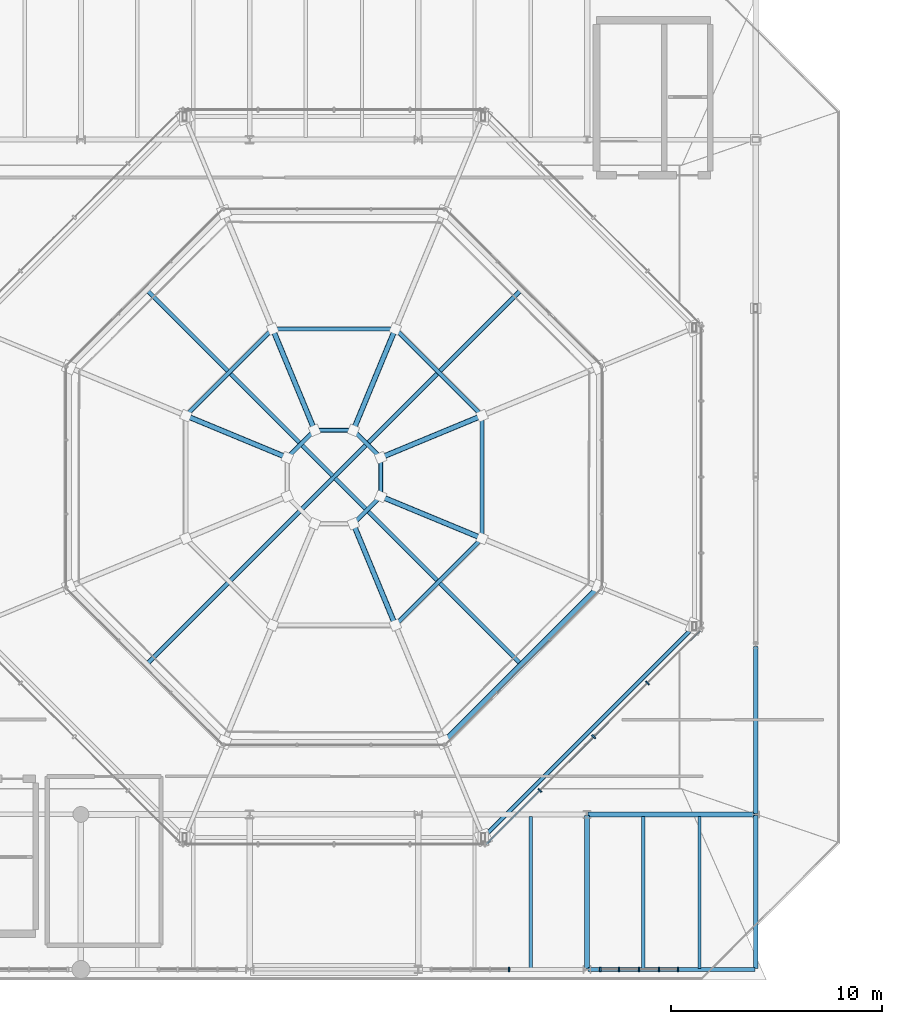
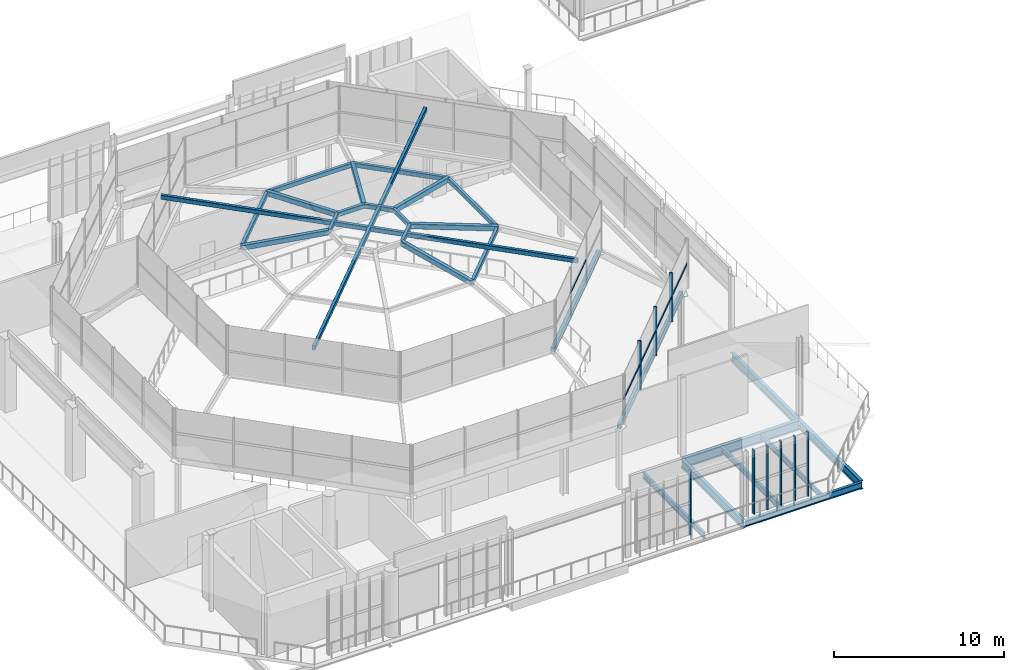
# One storey, part 11 of 30: 28 beams, 14 members, 4 elements without a shape of their own.
"""IFC4 building model written with IfcOpenShell, lengths in metres."""

from ifc_helpers import new_model, si_unit, direction, frame, origin, origin_2d, place, context, subcontext, project, spatial, rectangle, hollow_rectangle, i_section, extrude, material, material_profile, profile_set, type_object, element, aggregate, save


model = new_model("IFC4")

# Units and contexts
model_context = context("Model", 3, precision=1e-05, world=origin(), true_north=direction((0.0, 1.0)))
body_context = subcontext(model_context, "Body", "Model", "MODEL_VIEW")
ifc_project = project(units=[si_unit("LENGTHUNIT", "METRE"), si_unit("AREAUNIT", "SQUARE_METRE"), si_unit("VOLUMEUNIT", "CUBIC_METRE"), si_unit("PLANEANGLEUNIT", "RADIAN"), si_unit("MASSUNIT", "GRAM", prefix="KILO")], contexts=[model_context])

# Site, building, storey
site_placement = place(None, origin())
site = spatial("IfcSite", under=ifc_project, at=site_placement, CompositionType="ELEMENT")
building_placement = place(site_placement, origin())
building = spatial("IfcBuilding", under=site, at=building_placement, Name="Brisemont Oceanarium", CompositionType="ELEMENT")
storey_placement = place(building_placement, frame((0.0, 0.0, 19.800048828125)))
storey = spatial("IfcBuildingStorey", under=building, at=storey_placement, Name="L04", CompositionType="ELEMENT", Elevation=19.800048828125)

# Beams
ifc_material_1 = material(Name="Structural Steel ASTM A500 Gr.C", Category="steel")
ifc_material_profile_1 = material_profile(ifc_material_1, hollow_rectangle(XDim=0.202880859375, YDim=0.304931640625, WallThickness=0.0087890625, InnerFilletRadius=0.009033203125, OuterFilletRadius=0.01806640625, at=origin_2d()), Name="HSS12X8X3/8")
ifc_profile_set_1 = profile_set([ifc_material_profile_1], Name="Structural Steel ASTM A500 Gr.C")
beam_type_1 = type_object("IfcBeamType", Name="BM-HSS12X8", PredefinedType="BEAM", material=ifc_profile_set_1)
beam_1_placement = place(storey_placement, frame((91.021484375, 58.908447265625, 10.099853515625), z_axis=(-0.707106781187, 0.707106781187, 0.0), x_axis=(-0.707106781187, -0.707106781187, 0.0)))
element("IfcBeam", 1, at=beam_1_placement, inside=storey, type_object=beam_type_1, Name="V1 dome ring 3 chord 1", PredefinedType="BEAM", context=body_context, shape_type="SweptSolid", body=[
    extrude(hollow_rectangle(XDim=0.202880859375, YDim=0.304931640625, WallThickness=0.0087890625, InnerFilletRadius=0.009033203125, OuterFilletRadius=0.01806640625, at=origin_2d()), origin(), (0.0, 0.0, 1.0), 5.816650390625),
])
beam_2_placement = place(storey_placement, frame((86.908447265625, 63.021484375, 10.099853515625), z_axis=(-1.0, 0.0, 0.0), x_axis=(0.0, -1.0, 0.0)))
element("IfcBeam", 2, at=beam_2_placement, inside=storey, type_object=beam_type_1, Name="V1 dome ring 3 chord 2", PredefinedType="BEAM", context=body_context, shape_type="SweptSolid", body=[
    extrude(hollow_rectangle(XDim=0.202880859375, YDim=0.304931640625, WallThickness=0.0087890625, InnerFilletRadius=0.009033203125, OuterFilletRadius=0.01806640625, at=origin_2d()), origin(), (0.0, 0.0, 1.0), 5.81689453125),
])
for number, where, z_axis, x_axis, name in (
    (3, (81.091552734375, 63.021484375, 10.099853515625), (-0.707106781187, -0.707106781187, 0.0), (0.707106781187, -0.707106781187, 0.0), "V1 dome ring 3 chord 3"),
    (4, (86.908447265625, 48.978515625, 10.099853515625), (0.707106781187, 0.707106781187, 0.0), (-0.707106781187, 0.707106781187, 0.0), "V1 dome ring 3 chord 7"),
):
    element("IfcBeam", number, at=place(storey_placement, frame(where, z_axis=z_axis, x_axis=x_axis)), inside=storey, type_object=beam_type_1, Name=name, PredefinedType="BEAM", context=body_context, shape_type="SweptSolid", body=[
        extrude(hollow_rectangle(XDim=0.202880859375, YDim=0.304931640625, WallThickness=0.0087890625, InnerFilletRadius=0.009033203125, OuterFilletRadius=0.01806640625, at=origin_2d()), origin(), (0.0, 0.0, 1.0), 5.816650390625),
    ])
beam_3_placement = place(storey_placement, frame((91.021484375, 53.091552734375, 10.099853515625), z_axis=(0.0, 1.0, 0.0), x_axis=(-1.0, 0.0, 0.0)))
element("IfcBeam", 5, at=beam_3_placement, inside=storey, type_object=beam_type_1, Name="V1 dome ring 3 chord 8", PredefinedType="BEAM", context=body_context, shape_type="SweptSolid", body=[
    extrude(hollow_rectangle(XDim=0.202880859375, YDim=0.304931640625, WallThickness=0.0087890625, InnerFilletRadius=0.009033203125, OuterFilletRadius=0.01806640625, at=origin_2d()), origin(), (0.0, 0.0, 1.0), 5.81689453125),
])
for number, where, z_axis, x_axis, name in (
    (6, (86.21728515625, 56.91845703125, 10.75), (-0.707106781187, 0.707106781187, 0.0), (-0.707106781187, -0.707106781187, 0.0), "V1 dome ring 4 chord 1"),
    (7, (84.91845703125, 58.21728515625, 10.75), (-1.0, 0.0, 0.0), (0.0, -1.0, 0.0), "V1 dome ring 4 chord 2"),
    (8, (83.08154296875, 58.21728515625, 10.75), (-0.707106781187, -0.707106781187, 0.0), (0.707106781187, -0.707106781187, 0.0), "V1 dome ring 4 chord 3"),
    (9, (84.91845703125, 53.78271484375, 10.75), (0.707106781187, 0.707106781187, 0.0), (-0.707106781187, 0.707106781187, 0.0), "V1 dome ring 4 chord 7"),
    (10, (86.21728515625, 55.08154296875, 10.75), (0.0, 1.0, 0.0), (-1.0, 0.0, 0.0), "V1 dome ring 4 chord 8"),
):
    element("IfcBeam", number, at=place(storey_placement, frame(where, z_axis=z_axis, x_axis=x_axis)), inside=storey, type_object=beam_type_1, Name=name, PredefinedType="BEAM", context=body_context, shape_type="SweptSolid", body=[
        extrude(hollow_rectangle(XDim=0.202880859375, YDim=0.304931640625, WallThickness=0.0087890625, InnerFilletRadius=0.009033203125, OuterFilletRadius=0.01806640625, at=origin_2d()), origin(), (0.0, 0.0, 1.0), 1.8369140625),
    ])
for number, where, z_axis, x_axis, name in (
    (11, (92.982666015625, 64.982666015625, 10.75), (-0.707106781187, -0.707106781187, 0.0), (0.707106781187, -0.707106781187, 0.0), "V1 dome upper lantern cross-tie 1"),
    (12, (75.017333984375, 64.982666015625, 10.75), (0.707106781187, -0.707106781187, 0.0), (0.707106781187, 0.707106781187, 0.0), "V1 dome upper lantern cross-tie 3"),
):
    element("IfcBeam", number, at=place(storey_placement, frame(where, z_axis=z_axis, x_axis=x_axis)), inside=storey, type_object=beam_type_1, Name=name, PredefinedType="BEAM", context=body_context, shape_type="SweptSolid", body=[
        extrude(hollow_rectangle(XDim=0.202880859375, YDim=0.304931640625, WallThickness=0.0087890625, InnerFilletRadius=0.009033203125, OuterFilletRadius=0.01806640625, at=origin_2d()), origin(), (0.0, 0.0, 1.0), 25.40673828125),
    ])
ifc_material_2 = material(Name="Structural Steel ASTM A500 Gr.C", Category="steel")
ifc_material_profile_2 = material_profile(ifc_material_2, hollow_rectangle(XDim=0.25390625, YDim=0.35595703125, WallThickness=0.01171875, InnerFilletRadius=0.01220703125, OuterFilletRadius=0.02392578125, at=origin_2d()), Name="HSS14X10X1/2")
ifc_profile_set_2 = profile_set([ifc_material_profile_2], Name="Structural Steel ASTM A500 Gr.C")
beam_type_2 = type_object("IfcBeamType", Name="BM-HSS14X10", PredefinedType="BEAM", material=ifc_profile_set_2)
beam_4_placement = place(storey_placement, frame((89.20458984375, 43.435302734375, 7.800048828125), z_axis=(0.707106781187, 0.707106781187, 0.0), x_axis=(-0.707106781187, 0.707106781187, 0.0)))
element("IfcBeam", 13, at=beam_4_placement, inside=storey, type_object=beam_type_2, Name="V1 dome ring 2 chord 7", PredefinedType="BEAM", context=body_context, shape_type="SweptSolid", body=[
    extrude(hollow_rectangle(XDim=0.25390625, YDim=0.35595703125, WallThickness=0.01171875, InnerFilletRadius=0.01220703125, OuterFilletRadius=0.02392578125, at=origin_2d()), origin(), (0.0, 0.0, 1.0), 10.40869140625),
])
for number, where, z_axis, x_axis, name in (
    (14, (91.021484375, 58.908447265625, 10.099853515625), (-0.916740406142, -0.37973122525, 0.124061373186), (0.38268766097, -0.923877780955, 0.0), "V1 dome meridian arch rib 3.1"),
    (15, (86.908447265625, 63.021484375, 10.099853515625), (-0.37973122525, -0.916740406142, 0.124061373186), (0.923877780955, -0.38268766097, 0.0), "V1 dome meridian arch rib 3.2"),
    (16, (81.091552734375, 63.021484375, 10.099853515625), (0.37973122525, -0.916740406142, 0.124061373186), (0.923877780955, 0.38268766097, 0.0), "V1 dome meridian arch rib 3.3"),
    (17, (76.978515625, 58.908447265625, 10.099853515625), (0.916740406142, -0.37973122525, 0.124061373186), (0.38268766097, 0.923877780955, 0.0), "V1 dome meridian arch rib 3.4"),
    (18, (86.908447265625, 48.978515625, 10.099853515625), (-0.37973122525, 0.916740406142, 0.124061373186), (-0.923877780955, -0.38268766097, 0.0), "V1 dome meridian arch rib 3.7"),
    (19, (91.021484375, 53.091552734375, 10.099853515625), (-0.916740406142, 0.37973122525, 0.124061373186), (-0.38268766097, -0.923877780955, 0.0), "V1 dome meridian arch rib 3.8"),
):
    element("IfcBeam", number, at=place(storey_placement, frame(where, z_axis=z_axis, x_axis=x_axis)), inside=storey, type_object=beam_type_2, Name=name, PredefinedType="BEAM", context=body_context, shape_type="SweptSolid", body=[
        extrude(hollow_rectangle(XDim=0.25390625, YDim=0.35595703125, WallThickness=0.01171875, InnerFilletRadius=0.01220703125, OuterFilletRadius=0.02392578125, at=origin_2d()), origin(), (0.0, 0.0, 1.0), 5.240478515625),
    ])
ifc_material_3 = material(Name="Structural Steel ASTM A500 Gr.C", Category="steel")
ifc_material_profile_3 = material_profile(ifc_material_3, hollow_rectangle(XDim=0.202880859375, YDim=0.406005859375, WallThickness=0.01171875, InnerFilletRadius=0.01220703125, OuterFilletRadius=0.02392578125, at=origin_2d()), Name="HSS16X8X1/2")
ifc_profile_set_3 = profile_set([ifc_material_profile_3], Name="Structural Steel ASTM A500 Gr.C")
beam_type_3 = type_object("IfcBeamType", Name="BM-HSS16X8", PredefinedType="BEAM", material=ifc_profile_set_3)
beam_5_placement = place(storey_placement, frame((91.07958984375, 38.908203125, 4.3798828125), z_axis=(0.707106781187, 0.707106781187, 0.0), x_axis=(-0.707106781187, 0.707106781187, 0.0)))
element("IfcBeam", 20, at=beam_5_placement, inside=storey, type_object=beam_type_3, Name="V1 dome ring 1 chord 7", PredefinedType="BEAM", context=body_context, shape_type="SweptSolid", body=[
    extrude(hollow_rectangle(XDim=0.202880859375, YDim=0.406005859375, WallThickness=0.01171875, InnerFilletRadius=0.01220703125, OuterFilletRadius=0.02392578125, at=origin_2d()), origin(), (0.0, 0.0, 1.0), 14.159423828125),
])
ifc_material_4 = material(Name="Structural Steel ASTM A992 Gr.50", Category="steel")
ifc_material_profile_4 = material_profile(ifc_material_4, i_section(OverallWidth=0.139892578125, OverallDepth=0.39892578125, WebThickness=0.00634765625, FlangeThickness=0.0087890625, FilletRadius=0.010009765625, at=origin_2d()), Name="W16X26")
ifc_profile_set_4 = profile_set([ifc_material_profile_4], Name="Structural Steel ASTM A992 Gr.50")
beam_type_4 = type_object("IfcBeamType", Name="BM-W16X26", PredefinedType="JOIST", material=ifc_profile_set_4)
beam_6_placement = place(storey_placement, frame((101.333251953125, 32.68994140625, -0.45947265625), z_axis=(0.0, 1.0, 0.0), x_axis=(-1.0, 0.0, 0.0)))
element("IfcBeam", 21, at=beam_6_placement, inside=storey, type_object=beam_type_4, Name="V1 L04 secondary floor beam", PredefinedType="JOIST", context=body_context, shape_type="SweptSolid", body=[
    extrude(i_section(OverallWidth=0.139892578125, OverallDepth=0.39892578125, WebThickness=0.00634765625, FlangeThickness=0.0087890625, FilletRadius=0.010009765625, at=origin_2d()), origin(), (0.0, 0.0, 1.0), 7.219970703125),
])
ifc_material_5 = material(Name="Structural Steel ASTM A992 Gr.50", Category="steel")
ifc_material_profile_5 = material_profile(ifc_material_5, i_section(OverallWidth=0.177978515625, OverallDepth=0.404052734375, WebThickness=0.007568359375, FlangeThickness=0.010986328125, FilletRadius=0.010009765625, at=origin_2d()), Name="W16X36")
ifc_profile_set_5 = profile_set([ifc_material_profile_5], Name="Structural Steel ASTM A992 Gr.50")
beam_type_5 = type_object("IfcBeamType", Name="BM-W16X36", PredefinedType="JOIST", material=ifc_profile_set_5)
for number, where, z_axis, x_axis, name in (
    (22, (93.333251953125, 32.68994140625, -0.462158203125), (0.0, 1.0, 0.0), (-1.0, 0.0, 0.0), "V1 L04 secondary floor beam"),
    (23, (98.666748046875, 32.68994140625, -0.462158203125), (0.0, 1.0, 0.0), (-1.0, 0.0, 0.0), "V1 L04 secondary floor beam"),
):
    element("IfcBeam", number, at=place(storey_placement, frame(where, z_axis=z_axis, x_axis=x_axis)), inside=storey, type_object=beam_type_5, Name=name, PredefinedType="JOIST", context=body_context, shape_type="SweptSolid", body=[
        extrude(i_section(OverallWidth=0.177978515625, OverallDepth=0.404052734375, WebThickness=0.007568359375, FlangeThickness=0.010986328125, FilletRadius=0.010009765625, at=origin_2d()), origin(), (0.0, 0.0, 1.0), 7.219970703125),
    ])
ifc_material_6 = material(Name="Structural Steel ASTM A992 Gr.50", Category="steel")
ifc_material_profile_6 = material_profile(ifc_material_6, i_section(OverallWidth=0.19091796875, OverallDepth=0.4599609375, WebThickness=0.010009765625, FlangeThickness=0.01611328125, FilletRadius=0.010986328125, at=origin_2d()), Name="W18X55")
ifc_profile_set_6 = profile_set([ifc_material_profile_6], Name="Structural Steel ASTM A992 Gr.50")
beam_type_6 = type_object("IfcBeamType", Name="BM-W18X55", PredefinedType="SPANDREL", material=ifc_profile_set_6)
beam_7_placement = place(storey_placement, frame((96.0400390625, 32.64990234375, -0.489990234375), z_axis=(1.0, 0.0, 0.0), x_axis=(0.0, 1.0, 0.0)))
element("IfcBeam", 24, at=beam_7_placement, inside=storey, type_object=beam_type_6, Name="V1 L04 EW girder", PredefinedType="SPANDREL", context=body_context, shape_type="SweptSolid", body=[
    extrude(i_section(OverallWidth=0.19091796875, OverallDepth=0.4599609375, WebThickness=0.010009765625, FlangeThickness=0.01611328125, FilletRadius=0.010986328125, at=origin_2d()), origin(), (0.0, 0.0, 1.0), 7.919921875),
])
ifc_material_7 = material(Name="Structural Steel ASTM A992 Gr.50", Category="steel")
ifc_material_profile_7 = material_profile(ifc_material_7, i_section(OverallWidth=0.22802734375, OverallDepth=0.60205078125, WebThickness=0.010498046875, FlangeThickness=0.014892578125, FilletRadius=0.012939453125, at=origin_2d()), Name="W24X68")
ifc_profile_set_7 = profile_set([ifc_material_profile_7], Name="Structural Steel ASTM A992 Gr.50")
beam_type_7 = type_object("IfcBeamType", Name="BM-W24X68", PredefinedType="BEAM", material=ifc_profile_set_7)
beam_8_placement = place(storey_placement, frame((104.0, 40.0400390625, -0.56103515625), z_axis=(0.0, 1.0, 0.0), x_axis=(-1.0, 0.0, 0.0)))
element("IfcBeam", 25, at=beam_8_placement, inside=storey, type_object=beam_type_7, Name="V1 L04 NS girder", PredefinedType="BEAM", context=body_context, shape_type="SweptSolid", body=[
    extrude(i_section(OverallWidth=0.22802734375, OverallDepth=0.60205078125, WebThickness=0.010498046875, FlangeThickness=0.014892578125, FilletRadius=0.012939453125, at=origin_2d()), origin(), (0.0, 0.0, 1.0), 7.919921875),
])
ifc_material_8 = material(Name="Structural Steel ASTM A992 Gr.50", Category="steel")
ifc_material_profile_8 = material_profile(ifc_material_8, i_section(OverallWidth=0.22802734375, OverallDepth=0.60791015625, WebThickness=0.01123046875, FlangeThickness=0.017333984375, FilletRadius=0.012939453125, at=origin_2d()), Name="W24X76")
ifc_profile_set_8 = profile_set([ifc_material_profile_8], Name="Structural Steel ASTM A992 Gr.50")
beam_type_8 = type_object("IfcBeamType", Name="BM-W24X76", PredefinedType="BEAM", material=ifc_profile_set_8)
beam_9_placement = place(storey_placement, frame((104.0, 32.68994140625, -0.56396484375), z_axis=(0.0, 1.0, 0.0), x_axis=(-1.0, 0.0, 0.0)))
element("IfcBeam", 26, at=beam_9_placement, inside=storey, type_object=beam_type_8, Name="V1 L04 NS girder", PredefinedType="BEAM", context=body_context, shape_type="SweptSolid", body=[
    extrude(i_section(OverallWidth=0.22802734375, OverallDepth=0.60791015625, WebThickness=0.01123046875, FlangeThickness=0.017333984375, FilletRadius=0.012939453125, at=origin_2d()), origin(), (0.0, 0.0, 1.0), 7.27001953125),
])
ifc_material_9 = material(Name="Structural Steel ASTM A992 Gr.50", Category="steel")
ifc_material_profile_9 = material_profile(ifc_material_9, i_section(OverallWidth=0.22900390625, OverallDepth=0.612060546875, WebThickness=0.011962890625, FlangeThickness=0.01953125, FilletRadius=0.012939453125, at=origin_2d()), Name="W24X84")
ifc_profile_set_9 = profile_set([ifc_material_profile_9], Name="Structural Steel ASTM A992 Gr.50")
beam_type_9 = type_object("IfcBeamType", Name="BM-W24X84", PredefinedType="BEAM", material=ifc_profile_set_9)
beam_10_placement = place(storey_placement, frame((96.0, 32.68994140625, -0.566162109375), z_axis=(0.0, 1.0, 0.0), x_axis=(-1.0, 0.0, 0.0)))
element("IfcBeam", 27, at=beam_10_placement, inside=storey, type_object=beam_type_9, Name="V1 L04 NS girder", PredefinedType="BEAM", context=body_context, shape_type="SweptSolid", body=[
    extrude(i_section(OverallWidth=0.22900390625, OverallDepth=0.612060546875, WebThickness=0.011962890625, FlangeThickness=0.01953125, FilletRadius=0.012939453125, at=origin_2d()), origin(), (0.0, 0.0, 1.0), 7.27001953125),
])
ifc_material_10 = material(Name="Structural Steel ASTM A992 Gr.50", Category="steel")
ifc_material_profile_10 = material_profile(ifc_material_10, i_section(OverallWidth=0.2529296875, OverallDepth=0.677978515625, WebThickness=0.01171875, FlangeThickness=0.016357421875, FilletRadius=0.014892578125, at=origin_2d()), Name="W27X84")
ifc_profile_set_10 = profile_set([ifc_material_profile_10], Name="Structural Steel ASTM A992 Gr.50")
beam_type_10 = type_object("IfcBeamType", Name="BM-W27X84", PredefinedType="BEAM", material=ifc_profile_set_10)
beam_11_placement = place(storey_placement, frame((96.0400390625, 40.0, -0.59912109375), z_axis=(1.0, 0.0, 0.0), x_axis=(0.0, 1.0, 0.0)))
element("IfcBeam", 28, at=beam_11_placement, inside=storey, type_object=beam_type_10, Name="V1 L04 EW girder", PredefinedType="BEAM", context=body_context, shape_type="SweptSolid", body=[
    extrude(i_section(OverallWidth=0.2529296875, OverallDepth=0.677978515625, WebThickness=0.01171875, FlangeThickness=0.016357421875, FilletRadius=0.014892578125, at=origin_2d()), origin(), (0.0, 0.0, 1.0), 7.919921875),
])

# Curtain wall, member
ifc_material_11 = material(Name="Anodized Extruded Aluminum 6063-T6", Category="aluminium")
curtain_wall_type_1 = type_object("IfcCurtainWallType", Name="CW-ROT-69X44", PredefinedType="NOTDEFINED", material=ifc_material_11)
curtain_wall_1_placement = place(storey_placement, origin())
curtain_wall_1 = element("IfcCurtainWall", 29, at=curtain_wall_1_placement, inside=storey, type_object=curtain_wall_type_1, Name="CW-03 curtain wall CW-V1-S-L04-03", PredefinedType="NOTDEFINED")
ifc_material_12 = material(Name="Anodized Extruded Aluminum 6063-T6", Category="aluminium")
ifc_material_profile_11 = material_profile(ifc_material_12, rectangle(XDim=0.074951171875, YDim=0.219970703125, at=origin_2d()), Name="CWM-75X220")
ifc_profile_set_11 = profile_set([ifc_material_profile_11], Name="Anodized Extruded Aluminum 6063-T6")
member_type_1 = type_object("IfcMemberType", Name="MEM-CWM-75", PredefinedType="MULLION", material=ifc_profile_set_11)
member_1_placement = place(storey_placement, frame((92.304931640625, 32.64990234375, 0.0), z_axis=(0.0, 0.0, 1.0), x_axis=(1.0, 0.0, 0.0)))
member_1 = element("IfcMember", 30, at=member_1_placement, type_object=member_type_1, Name="CW-V1-S-L04-03 mullion 5", PredefinedType="MULLION", context=body_context, shape_type="SweptSolid", body=[
    extrude(rectangle(XDim=0.074951171875, YDim=0.219970703125, at=origin_2d()), origin(), (0.0, 0.0, 1.0), 4.599853515625),
])
aggregate(curtain_wall_1, [member_1])

# Curtain wall, members
curtain_wall_2_placement = place(storey_placement, origin())
curtain_wall_2 = element("IfcCurtainWall", 31, at=curtain_wall_2_placement, inside=storey, type_object=curtain_wall_type_1, Name="CW-03 curtain wall CW-V1-S-L04-04", PredefinedType="NOTDEFINED")
member_2_placement = place(storey_placement, frame((96.625, 32.64990234375, 0.0), z_axis=(0.0, 0.0, 1.0), x_axis=(1.0, 0.0, 0.0)))
member_2 = element("IfcMember", 32, at=member_2_placement, type_object=member_type_1, Name="CW-V1-S-L04-04 mullion 1", PredefinedType="MULLION", context=body_context, shape_type="SweptSolid", body=[
    extrude(rectangle(XDim=0.074951171875, YDim=0.219970703125, at=origin_2d()), origin(), (0.0, 0.0, 1.0), 4.599853515625),
])
member_3_placement = place(storey_placement, frame((97.5224609375, 32.64990234375, 0.0), z_axis=(0.0, 0.0, 1.0), x_axis=(1.0, 0.0, 0.0)))
member_3 = element("IfcMember", 33, at=member_3_placement, type_object=member_type_1, Name="CW-V1-S-L04-04 mullion 2", PredefinedType="MULLION", context=body_context, shape_type="SweptSolid", body=[
    extrude(rectangle(XDim=0.074951171875, YDim=0.219970703125, at=origin_2d()), origin(), (0.0, 0.0, 1.0), 4.599853515625),
])
member_4_placement = place(storey_placement, frame((98.465087890625, 32.64990234375, 0.0), z_axis=(0.0, 0.0, 1.0), x_axis=(1.0, 0.0, 0.0)))
member_4 = element("IfcMember", 34, at=member_4_placement, type_object=member_type_1, Name="CW-V1-S-L04-04 mullion 3", PredefinedType="MULLION", context=body_context, shape_type="SweptSolid", body=[
    extrude(rectangle(XDim=0.074951171875, YDim=0.219970703125, at=origin_2d()), origin(), (0.0, 0.0, 1.0), 4.599853515625),
])
member_5_placement = place(storey_placement, frame((99.407470703125, 32.64990234375, 0.0), z_axis=(0.0, 0.0, 1.0), x_axis=(1.0, 0.0, 0.0)))
member_5 = element("IfcMember", 35, at=member_5_placement, type_object=member_type_1, Name="CW-V1-S-L04-04 mullion 4", PredefinedType="MULLION", context=body_context, shape_type="SweptSolid", body=[
    extrude(rectangle(XDim=0.074951171875, YDim=0.219970703125, at=origin_2d()), origin(), (0.0, 0.0, 1.0), 4.599853515625),
])
member_6_placement = place(storey_placement, frame((100.304931640625, 32.64990234375, 0.0), z_axis=(0.0, 0.0, 1.0), x_axis=(1.0, 0.0, 0.0)))
member_6 = element("IfcMember", 36, at=member_6_placement, type_object=member_type_1, Name="CW-V1-S-L04-04 mullion 5", PredefinedType="MULLION", context=body_context, shape_type="SweptSolid", body=[
    extrude(rectangle(XDim=0.074951171875, YDim=0.219970703125, at=origin_2d()), origin(), (0.0, 0.0, 1.0), 4.599853515625),
])
aggregate(curtain_wall_2, [member_2, member_3, member_4, member_5, member_6])

curtain_wall_3_placement = place(storey_placement, origin())
curtain_wall_3 = element("IfcCurtainWall", 37, at=curtain_wall_3_placement, inside=storey, type_object=curtain_wall_type_1, Name="CW-03 curtain wall CW-DOME-DRUM-7", PredefinedType="NOTDEFINED")
member_7_placement = place(storey_placement, frame((93.763916015625, 41.13525390625, 4.780029296875), z_axis=(0.0, 0.0, 1.0), x_axis=(0.707106781187, 0.707106781187, 0.0)))
member_7 = element("IfcMember", 38, at=member_7_placement, type_object=member_type_1, Name="CW-DOME-DRUM-7 mullion 2", PredefinedType="MULLION", context=body_context, shape_type="SweptSolid", body=[
    extrude(rectangle(XDim=0.074951171875, YDim=0.219970703125, at=origin_2d()), origin(), (0.0, 0.0, 1.0), 3.52001953125),
])
member_8_placement = place(storey_placement, frame((96.314208984375, 43.685546875, 4.780029296875), z_axis=(0.0, 0.0, 1.0), x_axis=(0.707106781187, 0.707106781187, 0.0)))
member_8 = element("IfcMember", 39, at=member_8_placement, type_object=member_type_1, Name="CW-DOME-DRUM-7 mullion 3", PredefinedType="MULLION", context=body_context, shape_type="SweptSolid", body=[
    extrude(rectangle(XDim=0.074951171875, YDim=0.219970703125, at=origin_2d()), origin(), (0.0, 0.0, 1.0), 3.52001953125),
])
member_9_placement = place(storey_placement, frame((98.86474609375, 46.236083984375, 4.780029296875), z_axis=(0.0, 0.0, 1.0), x_axis=(0.707106781187, 0.707106781187, 0.0)))
member_9 = element("IfcMember", 40, at=member_9_placement, type_object=member_type_1, Name="CW-DOME-DRUM-7 mullion 4", PredefinedType="MULLION", context=body_context, shape_type="SweptSolid", body=[
    extrude(rectangle(XDim=0.074951171875, YDim=0.219970703125, at=origin_2d()), origin(), (0.0, 0.0, 1.0), 3.52001953125),
])

# Curtain wall, member
ifc_material_13 = material(Name="Anodized Extruded Aluminum 6063-T6", Category="aluminium")
curtain_wall_type_2 = type_object("IfcCurtainWallType", Name="CW-CLR-48X34", PredefinedType="NOTDEFINED", material=ifc_material_13)
curtain_wall_4_placement = place(storey_placement, origin())
curtain_wall_4 = element("IfcCurtainWall", 41, at=curtain_wall_4_placement, inside=storey, type_object=curtain_wall_type_2, Name="CW-22 curtain wall CW-DOME-UP-7", PredefinedType="NOTDEFINED")
ifc_material_14 = material(Name="Anodized Extruded Aluminum 6063-T6", Category="aluminium")
ifc_material_profile_12 = material_profile(ifc_material_14, rectangle(XDim=0.06005859375, YDim=0.1201171875, at=origin_2d()), Name="CWT-60X120")
ifc_profile_set_12 = profile_set([ifc_material_profile_12], Name="Anodized Extruded Aluminum 6063-T6")
member_type_2 = type_object("IfcMemberType", Name="MEM-CWT-60", PredefinedType="USERDEFINED", material=ifc_profile_set_12)
member_10_placement = place(storey_placement, frame((91.7529296875, 45.787841796875, 9.599853515625), z_axis=(0.707106781187, 0.707106781187, 0.0), x_axis=(-0.707106781187, 0.707106781187, 0.0)))
member_10 = element("IfcMember", 42, at=member_10_placement, type_object=member_type_2, Name="CW-DOME-UP-7 transom 2.1", ObjectType="TRANSOM", PredefinedType="USERDEFINED", context=body_context, shape_type="SweptSolid", body=[
    extrude(rectangle(XDim=0.06005859375, YDim=0.1201171875, at=origin_2d()), origin(), (0.0, 0.0, 1.0), 3.477783203125),
])
aggregate(curtain_wall_4, [member_10])

# Member
ifc_material_15 = material(Name="Anodized Extruded Aluminum 6063-T6", Category="aluminium")
ifc_material_profile_13 = material_profile(ifc_material_15, rectangle(XDim=0.074951171875, YDim=0.1650390625, at=origin_2d()), Name="CWT-75X165")
ifc_profile_set_13 = profile_set([ifc_material_profile_13], Name="Anodized Extruded Aluminum 6063-T6")
member_type_3 = type_object("IfcMemberType", Name="MEM-CWT-75", PredefinedType="USERDEFINED", material=ifc_profile_set_13)
member_11_placement = place(storey_placement, frame((91.22412109375, 38.595458984375, 6.5400390625), z_axis=(0.707106781187, 0.707106781187, 0.0), x_axis=(-0.707106781187, 0.707106781187, 0.0)))
member_11 = element("IfcMember", 43, at=member_11_placement, type_object=member_type_3, Name="CW-DOME-DRUM-7 transom 1.1", ObjectType="TRANSOM", PredefinedType="USERDEFINED", context=body_context, shape_type="SweptSolid", body=[
    extrude(rectangle(XDim=0.074951171875, YDim=0.1650390625, at=origin_2d()), origin(), (0.0, 0.0, 1.0), 3.576904296875),
])

member_12_placement = place(storey_placement, frame((93.774658203125, 41.14599609375, 6.5400390625), z_axis=(0.707106781187, 0.707106781187, 0.0), x_axis=(-0.707106781187, 0.707106781187, 0.0)))
member_12 = element("IfcMember", 44, at=member_12_placement, type_object=member_type_3, Name="CW-DOME-DRUM-7 transom 2.1", ObjectType="TRANSOM", PredefinedType="USERDEFINED", context=body_context, shape_type="SweptSolid", body=[
    extrude(rectangle(XDim=0.074951171875, YDim=0.1650390625, at=origin_2d()), origin(), (0.0, 0.0, 1.0), 3.57666015625),
])

member_13_placement = place(storey_placement, frame((96.324951171875, 43.6962890625, 6.5400390625), z_axis=(0.707106781187, 0.707106781187, 0.0), x_axis=(-0.707106781187, 0.707106781187, 0.0)))
member_13 = element("IfcMember", 45, at=member_13_placement, type_object=member_type_3, Name="CW-DOME-DRUM-7 transom 3.1", ObjectType="TRANSOM", PredefinedType="USERDEFINED", context=body_context, shape_type="SweptSolid", body=[
    extrude(rectangle(XDim=0.074951171875, YDim=0.1650390625, at=origin_2d()), origin(), (0.0, 0.0, 1.0), 3.57666015625),
])

member_14_placement = place(storey_placement, frame((98.875244140625, 46.24658203125, 6.5400390625), z_axis=(0.707106781187, 0.707106781187, 0.0), x_axis=(-0.707106781187, 0.707106781187, 0.0)))
member_14 = element("IfcMember", 46, at=member_14_placement, type_object=member_type_3, Name="CW-DOME-DRUM-7 transom 4.1", ObjectType="TRANSOM", PredefinedType="USERDEFINED", context=body_context, shape_type="SweptSolid", body=[
    extrude(rectangle(XDim=0.074951171875, YDim=0.1650390625, at=origin_2d()), origin(), (0.0, 0.0, 1.0), 3.576904296875),
])

aggregate(curtain_wall_3, [member_7, member_8, member_9, member_11, member_12, member_13, member_14])

save(model, "model.ifc")
